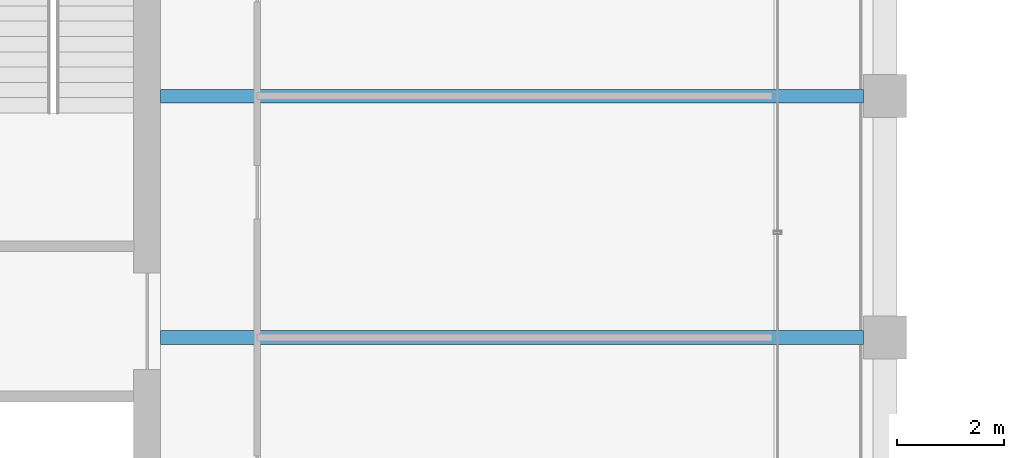
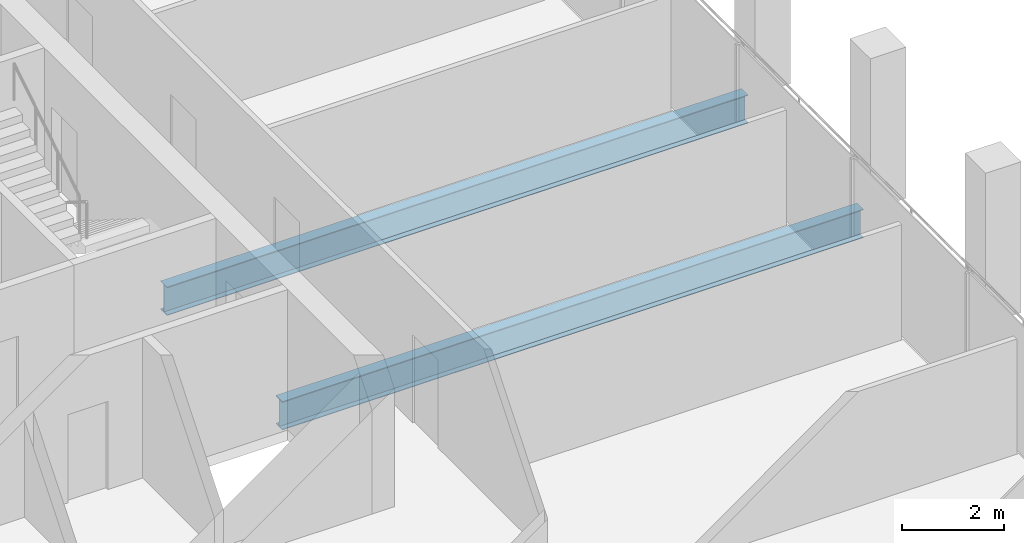
# One storey, part 16 of 41: 2 beams.
"""IFC4 building model written with IfcOpenShell, lengths in metres."""

from ifc_helpers import new_model, si_unit, direction, frame, origin, origin_2d, place, context, subcontext, project, spatial, i_section, extrude, material, material_profile, profile_set, type_object, element, save


model = new_model("IFC4")

# Units and contexts
model_context = context("Model", 3, precision=1e-05, world=origin(), true_north=direction((0.0, 1.0)))
body_context = subcontext(model_context, "Body", "Model", "MODEL_VIEW")
ifc_project = project(units=[si_unit("LENGTHUNIT", "METRE"), si_unit("AREAUNIT", "SQUARE_METRE"), si_unit("VOLUMEUNIT", "CUBIC_METRE"), si_unit("PLANEANGLEUNIT", "RADIAN"), si_unit("MASSUNIT", "GRAM", prefix="KILO")], contexts=[model_context])

# Site, building, storey
site_placement = place(None, origin())
site = spatial("IfcSite", under=ifc_project, at=site_placement, CompositionType="ELEMENT")
building_placement = place(site_placement, origin())
building = spatial("IfcBuilding", under=site, at=building_placement, Name="Altepetl Exchange Towers", CompositionType="ELEMENT")
storey_placement = place(building_placement, frame((0.0, 0.0, 206.39990234375)))
storey = spatial("IfcBuildingStorey", under=building, at=storey_placement, Name="L52", CompositionType="ELEMENT", Elevation=206.39990234375)

# Beams
ifc_material = material(Name="Steel S355", Category="steel")
ifc_material_profile = material_profile(ifc_material, i_section(OverallWidth=0.2529296875, OverallDepth=0.677978515625, WebThickness=0.01171875, FlangeThickness=0.016357421875, at=origin_2d()), Name="W27X84")
ifc_profile_set = profile_set([ifc_material_profile], Name="Steel S355")
beam_type = type_object("IfcBeamType", Name="Floor beam W27X84", PredefinedType="BEAM", material=ifc_profile_set)
for number, where, z_axis, x_axis, name in (
    (1, (58.5, 45.0, -0.489013671875), (1.0, 0.0, 0.0), (0.0, 1.0, 0.0), "bm:A:L52:009"),
    (2, (58.5, 49.5, -0.489013671875), (1.0, 0.0, 0.0), (0.0, 1.0, 0.0), "bm:A:L52:010"),
):
    element("IfcBeam", number, at=place(storey_placement, frame(where, z_axis=z_axis, x_axis=x_axis)), inside=storey, type_object=beam_type, Name=name, PredefinedType="BEAM", context=body_context, shape_type="SweptSolid", body=[
        extrude(i_section(OverallWidth=0.2529296875, OverallDepth=0.677978515625, WebThickness=0.01171875, FlangeThickness=0.016357421875, at=origin_2d()), origin(), (0.0, 0.0, 1.0), 13.10009765625),
    ])

save(model, "model.ifc")
